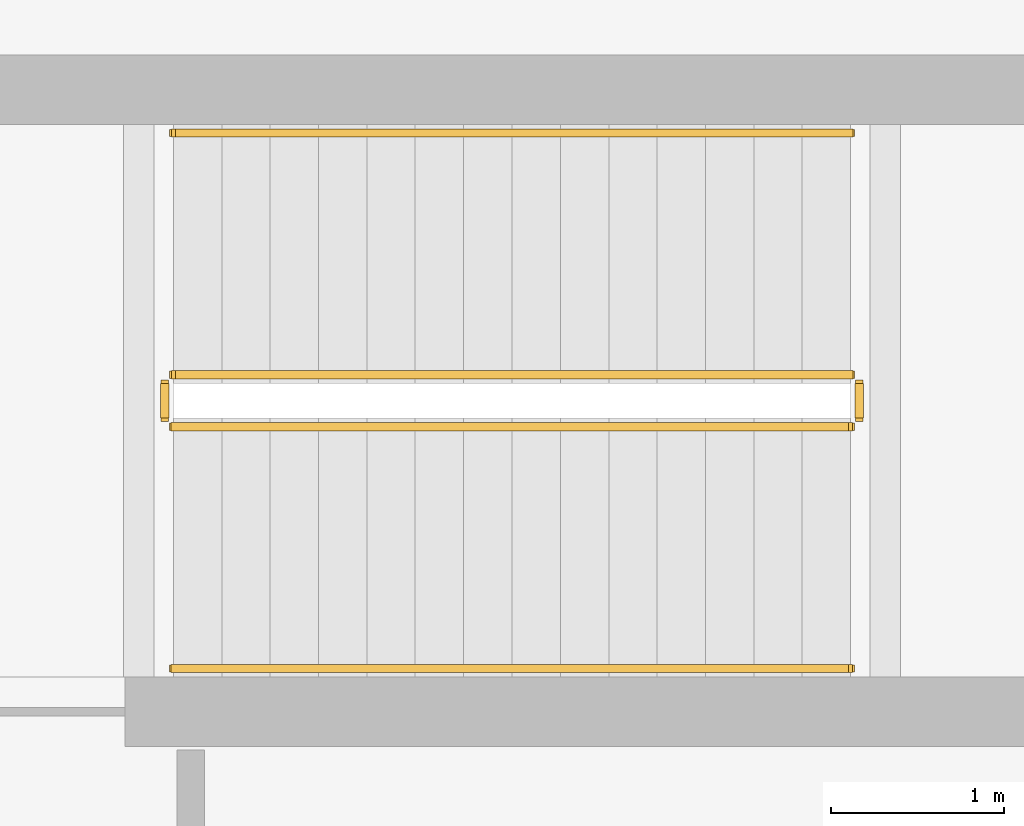
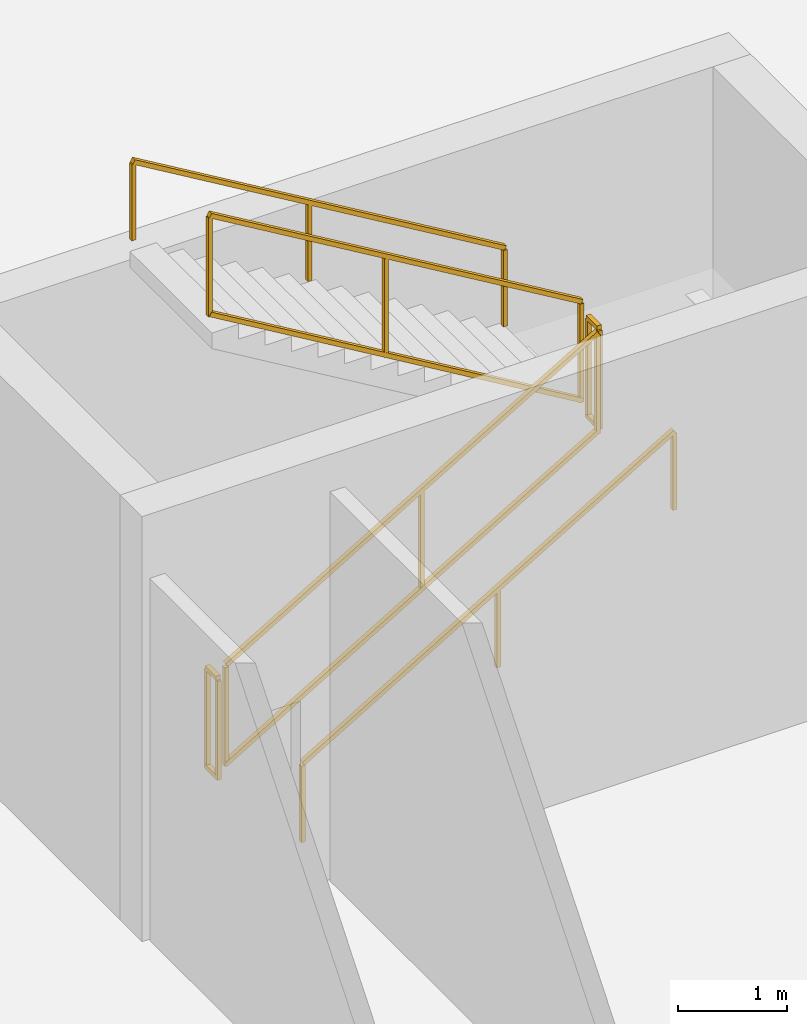
# One storey, part 17 of 18: 6 railings.
"""IFC4 building model written with IfcOpenShell, lengths in metres."""

from ifc_helpers import new_model, si_unit, direction, frame, origin, origin_2d, place, context, subcontext, project, spatial, rectangle, extrude, material, type_object, element, save


model = new_model("IFC4")

# Units and contexts
model_context = context("Model", 3, precision=1e-05, world=origin(), true_north=direction((0.0, 1.0)))
body_context = subcontext(model_context, "Body", "Model", "MODEL_VIEW")
ifc_project = project(units=[si_unit("LENGTHUNIT", "METRE"), si_unit("AREAUNIT", "SQUARE_METRE"), si_unit("VOLUMEUNIT", "CUBIC_METRE"), si_unit("PLANEANGLEUNIT", "RADIAN"), si_unit("MASSUNIT", "GRAM", prefix="KILO"), si_unit("THERMODYNAMICTEMPERATUREUNIT", "KELVIN"), si_unit("POWERUNIT", "WATT")], contexts=[model_context])

# Site, building, storey
site_placement = place(None, origin())
site = spatial("IfcSite", under=ifc_project, at=site_placement, CompositionType="ELEMENT")
building_placement = place(site_placement, origin())
building = spatial("IfcBuilding", under=site, at=building_placement, Name="Yunzhuo Pagoda Commons", CompositionType="ELEMENT")
storey_placement = place(building_placement, frame((0.0, 0.0, 25.39990234375)))
storey = spatial("IfcBuildingStorey", under=building, at=storey_placement, Name="L06", CompositionType="ELEMENT", Elevation=25.39990234375)

# Railings
ifc_material = material(Name="Anodized aluminium 6063-T6", Category="aluminium")
railing_type_1 = type_object("IfcRailingType", Name="GR-ST3 North Well Guardrail 1155", PredefinedType="GUARDRAIL", material=ifc_material)
railing_1_placement = place(storey_placement, frame((45.75, 57.64990234375, 0.166748046875)))
element("IfcRailing", 1, at=railing_1_placement, inside=storey, type_object=railing_type_1, Name="L06 ST3 stair guard 1", PredefinedType="GUARDRAIL", context=body_context, shape_type="SweptSolid", body=[
    extrude(rectangle(XDim=0.048095703125, YDim=0.048095703125, at=origin_2d()), frame((0.0, 0.0, 1.1259765625), z_axis=(0.859296244711, 0.0, 0.511478214419), x_axis=(0.0, 1.0, 0.0)), (0.0, 0.0, 1.0), 4.561767578125),
    extrude(rectangle(XDim=0.048095703125, YDim=0.048095703125, at=origin_2d()), frame((0.0, 0.0, 0.02392578125), z_axis=(0.859296244711, 0.0, 0.511478214419), x_axis=(0.0, 1.0, 0.0)), (0.0, 0.0, 1.0), 4.561767578125),
    extrude(rectangle(XDim=0.0419921875, YDim=0.0419921875, at=origin_2d()), origin(), (0.0, 0.0, 1.0), 1.101806640625),
    extrude(rectangle(XDim=0.0419921875, YDim=0.0419921875, at=origin_2d()), frame((2.062255859375, 0.0, 1.2275390625)), (0.0, 0.0, 1.0), 1.101806640625),
    extrude(rectangle(XDim=0.0419921875, YDim=0.0419921875, at=origin_2d()), frame((3.919921875, 0.0, 2.333251953125)), (0.0, 0.0, 1.0), 1.101806640625),
])
railing_2_placement = place(storey_placement, frame((49.719970703125, 57.699951171875, 2.5)))
element("IfcRailing", 2, at=railing_2_placement, inside=storey, type_object=railing_type_1, Name="L06 ST3 stair guard 2", PredefinedType="GUARDRAIL", context=body_context, shape_type="SweptSolid", body=[
    extrude(rectangle(XDim=0.048095703125, YDim=0.048095703125, at=origin_2d()), frame((0.0, 0.0, 1.1259765625), z_axis=(0.0, 1.0, 0.0), x_axis=(-1.0, 0.0, 0.0)), (0.0, 0.0, 1.0), 0.199951171875),
    extrude(rectangle(XDim=0.048095703125, YDim=0.048095703125, at=origin_2d()), frame((0.0, 0.0, 0.02392578125), z_axis=(0.0, 1.0, 0.0), x_axis=(-1.0, 0.0, 0.0)), (0.0, 0.0, 1.0), 0.199951171875),
    extrude(rectangle(XDim=0.0419921875, YDim=0.0419921875, at=origin_2d()), origin(), (0.0, 0.0, 1.0), 1.101806640625),
    extrude(rectangle(XDim=0.0419921875, YDim=0.0419921875, at=origin_2d()), frame((0.0, 0.199951171875, 0.0)), (0.0, 0.0, 1.0), 1.101806640625),
])
railing_3_placement = place(storey_placement, frame((49.669921875, 57.949951171875, 2.666748046875)))
element("IfcRailing", 3, at=railing_3_placement, inside=storey, type_object=railing_type_1, Name="L06 ST3 stair guard 3", PredefinedType="GUARDRAIL", context=body_context, shape_type="SweptSolid", body=[
    extrude(rectangle(XDim=0.048095703125, YDim=0.048095703125, at=origin_2d()), frame((0.0, 0.0, 1.1259765625), z_axis=(-0.859296244711, 0.0, 0.511478214419), x_axis=(0.0, -1.0, 0.0)), (0.0, 0.0, 1.0), 4.561767578125),
    extrude(rectangle(XDim=0.048095703125, YDim=0.048095703125, at=origin_2d()), frame((0.0, 0.0, 0.02392578125), z_axis=(-0.859296244711, 0.0, 0.511478214419), x_axis=(0.0, -1.0, 0.0)), (0.0, 0.0, 1.0), 4.561767578125),
    extrude(rectangle(XDim=0.0419921875, YDim=0.0419921875, at=origin_2d()), origin(), (0.0, 0.0, 1.0), 1.101806640625),
    extrude(rectangle(XDim=0.0419921875, YDim=0.0419921875, at=origin_2d()), frame((-2.062255859375, 0.0, 1.2275390625)), (0.0, 0.0, 1.0), 1.101806640625),
    extrude(rectangle(XDim=0.0419921875, YDim=0.0419921875, at=origin_2d()), frame((-3.919921875, 0.0, 2.333251953125)), (0.0, 0.0, 1.0), 1.101806640625),
])
railing_4_placement = place(storey_placement, frame((45.699951171875, 57.699951171875, 0.0)))
element("IfcRailing", 4, at=railing_4_placement, inside=storey, type_object=railing_type_1, Name="L06 ST3 stair guard 4", PredefinedType="GUARDRAIL", context=body_context, shape_type="SweptSolid", body=[
    extrude(rectangle(XDim=0.048095703125, YDim=0.048095703125, at=origin_2d()), frame((0.0, 0.0, 1.1259765625), z_axis=(0.0, 1.0, 0.0), x_axis=(-1.0, 0.0, 0.0)), (0.0, 0.0, 1.0), 0.199951171875),
    extrude(rectangle(XDim=0.048095703125, YDim=0.048095703125, at=origin_2d()), frame((0.0, 0.0, 0.02392578125), z_axis=(0.0, 1.0, 0.0), x_axis=(-1.0, 0.0, 0.0)), (0.0, 0.0, 1.0), 0.199951171875),
    extrude(rectangle(XDim=0.0419921875, YDim=0.0419921875, at=origin_2d()), origin(), (0.0, 0.0, 1.0), 1.101806640625),
    extrude(rectangle(XDim=0.0419921875, YDim=0.0419921875, at=origin_2d()), frame((0.0, 0.199951171875, 0.0)), (0.0, 0.0, 1.0), 1.101806640625),
])
railing_type_2 = type_object("IfcRailingType", Name="HR-ST3 North Stair Handrail 900", PredefinedType="HANDRAIL", material=ifc_material)
railing_5_placement = place(storey_placement, frame((45.75, 56.25, 0.166748046875)))
element("IfcRailing", 5, at=railing_5_placement, inside=storey, type_object=railing_type_2, Name="L06 ST3 stair handrail 1", PredefinedType="HANDRAIL", context=body_context, shape_type="SweptSolid", body=[
    extrude(rectangle(XDim=0.048095703125, YDim=0.048095703125, at=origin_2d()), frame((0.0, 0.0, 0.8759765625), z_axis=(0.859296244711, 0.0, 0.511478214419), x_axis=(0.0, 1.0, 0.0)), (0.0, 0.0, 1.0), 4.561767578125),
    extrude(rectangle(XDim=0.0419921875, YDim=0.0419921875, at=origin_2d()), origin(), (0.0, 0.0, 1.0), 0.851806640625),
    extrude(rectangle(XDim=0.0419921875, YDim=0.0419921875, at=origin_2d()), frame((2.062255859375, 0.0, 1.2275390625)), (0.0, 0.0, 1.0), 0.851806640625),
    extrude(rectangle(XDim=0.0419921875, YDim=0.0419921875, at=origin_2d()), frame((3.919921875, 0.0, 2.333251953125)), (0.0, 0.0, 1.0), 0.851806640625),
])
railing_6_placement = place(storey_placement, frame((49.669921875, 59.35009765625, 2.666748046875)))
element("IfcRailing", 6, at=railing_6_placement, inside=storey, type_object=railing_type_2, Name="L06 ST3 stair handrail 2", PredefinedType="HANDRAIL", context=body_context, shape_type="SweptSolid", body=[
    extrude(rectangle(XDim=0.048095703125, YDim=0.048095703125, at=origin_2d()), frame((0.0, 0.0, 0.8759765625), z_axis=(-0.859296244711, 0.0, 0.511478214419), x_axis=(0.0, -1.0, 0.0)), (0.0, 0.0, 1.0), 4.561767578125),
    extrude(rectangle(XDim=0.0419921875, YDim=0.0419921875, at=origin_2d()), origin(), (0.0, 0.0, 1.0), 0.851806640625),
    extrude(rectangle(XDim=0.0419921875, YDim=0.0419921875, at=origin_2d()), frame((-2.062255859375, 0.0, 1.2275390625)), (0.0, 0.0, 1.0), 0.851806640625),
    extrude(rectangle(XDim=0.0419921875, YDim=0.0419921875, at=origin_2d()), frame((-3.919921875, 0.0, 2.333251953125)), (0.0, 0.0, 1.0), 0.851806640625),
])

save(model, "model.ifc")
